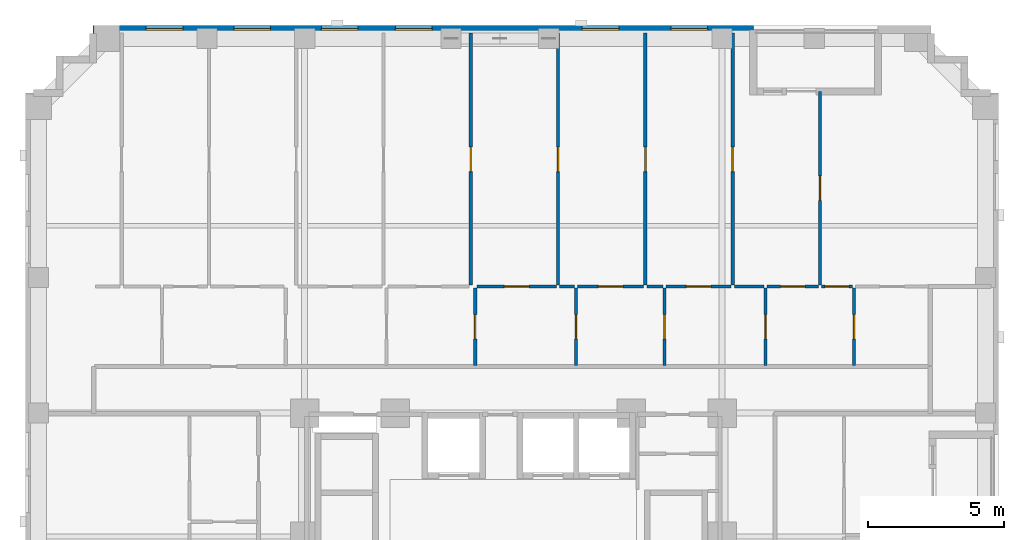
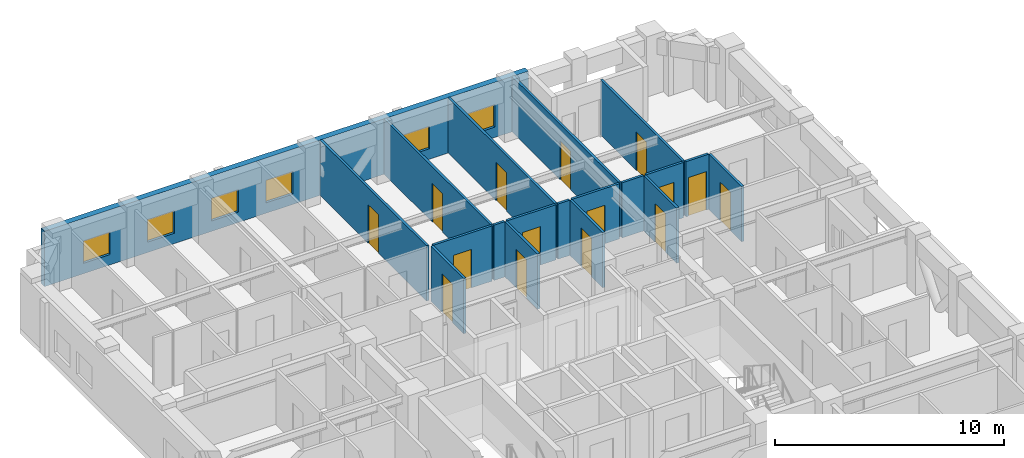
# One storey, part 8 of 13: 19 walls, 15 doors, 6 windows, 21 openings.
"""IFC4 building model written with IfcOpenShell, lengths in metres."""

from ifc_helpers import new_model, si_unit, derived_unit, direction, frame, frame_2d, origin, place, context, subcontext, project, spatial, rectangle, extrude, material, layer, layer_set, type_object, element, fill, save


model = new_model("IFC4")

# Units and contexts
model_context = context("Model", 3, precision=1e-05, world=origin(), true_north=direction((0.0, 1.0)))
body_context = subcontext(model_context, "Body", "Model", "MODEL_VIEW")
ifc_project = project(units=[si_unit("LENGTHUNIT", "METRE"), si_unit("AREAUNIT", "SQUARE_METRE"), si_unit("VOLUMEUNIT", "CUBIC_METRE"), si_unit("PLANEANGLEUNIT", "RADIAN"), si_unit("MASSUNIT", "GRAM", prefix="KILO"), derived_unit("THERMALTRANSMITTANCEUNIT", [(si_unit("MASSUNIT", "GRAM", prefix="KILO"), 1), (si_unit("TIMEUNIT", "SECOND"), -3), (si_unit("THERMODYNAMICTEMPERATUREUNIT", "KELVIN"), -1)])], contexts=[model_context])

# Site, building, storey
site_placement = place(None, origin())
site = spatial("IfcSite", under=ifc_project, at=site_placement, CompositionType="ELEMENT")
building_placement = place(site_placement, origin())
building = spatial("IfcBuilding", under=site, at=building_placement, Name="Korrvale Station Residences", CompositionType="ELEMENT")
storey_placement = place(building_placement, frame((0.0, 0.0, 97.5)))
storey = spatial("IfcBuildingStorey", under=building, at=storey_placement, Name="L27", CompositionType="ELEMENT", Elevation=97.5)

# Wall, openings, windows
ifc_material_1 = material(Name="Precast concrete C45/55", Category="concrete")
ifc_layer_1 = layer(ifc_material_1, 0.300048828125, Name="Precast concrete C45/55")
ifc_layer_set_1 = layer_set([ifc_layer_1], Name="Precast concrete C45/55")
wall_type_1 = type_object("IfcWallType", Name="WAL-EXT-PC300", PredefinedType="SOLIDWALL", material=ifc_layer_set_1)
wall_1_placement = place(storey_placement, frame((10.0, 43.14990234375, 0.0), z_axis=(0.0, 0.0, 1.0), x_axis=(1.0, 0.0, 0.0)))
wall_1 = element("IfcWall", 1, at=wall_1_placement, inside=storey, type_object=wall_type_1, Name="L27 North Exterior Precast Wall 1", PredefinedType="SOLIDWALL", context=body_context, shape_type="SweptSolid", body=[
    extrude(rectangle(XDim=24.35009765625, YDim=0.300048828125, at=frame_2d((12.175048828125, 0.0))), origin(), (0.0, 0.0, 1.0), 2.93994140625),
])
opening_1_placement = place(wall_1_placement, frame((1.9560546875, 0.0, 0.550048828125)))
opening_1 = element("IfcOpeningElement", 2, at=opening_1_placement, cuts=wall_1, Name="Opening W-10", PredefinedType="OPENING", context=body_context, shape_type="SweptSolid", body=[
    extrude(rectangle(XDim=1.35009765625, YDim=1.199951171875, at=frame_2d((0.675048828125, 0.60009765625))), frame((0.0, 0.16015625, 0.0), z_axis=(0.0, -1.0, 0.0), x_axis=(1.0, 0.0, 0.0)), (0.0, 0.0, 1.0), 0.320068359375),
])
opening_2_placement = place(wall_1_placement, frame((5.18701171875, 0.0, 0.550048828125)))
opening_2 = element("IfcOpeningElement", 3, at=opening_2_placement, cuts=wall_1, Name="Opening W-10", PredefinedType="OPENING", context=body_context, shape_type="SweptSolid", body=[
    extrude(rectangle(XDim=1.35009765625, YDim=1.199951171875, at=frame_2d((0.675048828125, 0.60009765625))), frame((0.0, 0.16015625, 0.0), z_axis=(0.0, -1.0, 0.0), x_axis=(1.0, 0.0, 0.0)), (0.0, 0.0, 1.0), 0.320068359375),
])
opening_3_placement = place(wall_1_placement, frame((8.41796875, 0.0, 0.550048828125)))
opening_3 = element("IfcOpeningElement", 4, at=opening_3_placement, cuts=wall_1, Name="Opening W-10", PredefinedType="OPENING", context=body_context, shape_type="SweptSolid", body=[
    extrude(rectangle(XDim=1.35009765625, YDim=1.199951171875, at=frame_2d((0.675048828125, 0.60009765625))), frame((0.0, 0.16015625, 0.0), z_axis=(0.0, -1.0, 0.0), x_axis=(1.0, 0.0, 0.0)), (0.0, 0.0, 1.0), 0.320068359375),
])
opening_4_placement = place(wall_1_placement, frame((11.14990234375, 0.0, 0.550048828125)))
opening_4 = element("IfcOpeningElement", 5, at=opening_4_placement, cuts=wall_1, Name="Opening W-10", PredefinedType="OPENING", context=body_context, shape_type="SweptSolid", body=[
    extrude(rectangle(XDim=1.35009765625, YDim=1.199951171875, at=frame_2d((0.675048828125, 0.60009765625))), frame((0.0, 0.16015625, 0.0), z_axis=(0.0, -1.0, 0.0), x_axis=(1.0, 0.0, 0.0)), (0.0, 0.0, 1.0), 0.320068359375),
])
opening_5_placement = place(wall_1_placement, frame((18.0380859375, 0.0, 0.550048828125)))
opening_5 = element("IfcOpeningElement", 6, at=opening_5_placement, cuts=wall_1, Name="Opening W-10", PredefinedType="OPENING", context=body_context, shape_type="SweptSolid", body=[
    extrude(rectangle(XDim=1.35009765625, YDim=1.199951171875, at=frame_2d((0.675048828125, 0.60009765625))), frame((0.0, 0.16015625, 0.0), z_axis=(0.0, -1.0, 0.0), x_axis=(1.0, 0.0, 0.0)), (0.0, 0.0, 1.0), 0.320068359375),
])
opening_6_placement = place(wall_1_placement, frame((21.31494140625, 0.0, 0.550048828125)))
opening_6 = element("IfcOpeningElement", 7, at=opening_6_placement, cuts=wall_1, Name="Opening W-10", PredefinedType="OPENING", context=body_context, shape_type="SweptSolid", body=[
    extrude(rectangle(XDim=1.35009765625, YDim=1.199951171875, at=frame_2d((0.675048828125, 0.60009765625))), frame((0.0, 0.16015625, 0.0), z_axis=(0.0, -1.0, 0.0), x_axis=(1.0, 0.0, 0.0)), (0.0, 0.0, 1.0), 0.320068359375),
])
ifc_material_2 = material(Name="Thermally broken aluminium frame with triple low-e glazing", Category="aluminium")
window_type = type_object("IfcWindowType", Name="WIN-W10", PartitioningType="SINGLE_PANEL", PredefinedType="WINDOW", material=ifc_material_2)
window_1_placement = place(opening_1_placement, origin())
window_1 = element("IfcWindow", 8, at=window_1_placement, inside=storey, type_object=window_type, Name="L27 Punched Window 14", OverallHeight=1.199951171875, OverallWidth=1.35009765625, PartitioningType="SINGLE_PANEL", PredefinedType="WINDOW", context=body_context, shape_type="SweptSolid", body=[
    extrude(rectangle(XDim=1.35009765625, YDim=1.199951171875, at=frame_2d((0.675048828125, 0.60009765625))), frame((0.0, 0.030029296875, 0.0), z_axis=(0.0, -1.0, 0.0), x_axis=(1.0, 0.0, 0.0)), (0.0, 0.0, 1.0), 0.06005859375),
])
fill(opening_1, window_1)
window_2_placement = place(opening_2_placement, origin())
window_2 = element("IfcWindow", 9, at=window_2_placement, inside=storey, type_object=window_type, Name="L27 Punched Window 15", OverallHeight=1.199951171875, OverallWidth=1.35009765625, PartitioningType="SINGLE_PANEL", PredefinedType="WINDOW", context=body_context, shape_type="SweptSolid", body=[
    extrude(rectangle(XDim=1.35009765625, YDim=1.199951171875, at=frame_2d((0.675048828125, 0.60009765625))), frame((0.0, 0.030029296875, 0.0), z_axis=(0.0, -1.0, 0.0), x_axis=(1.0, 0.0, 0.0)), (0.0, 0.0, 1.0), 0.06005859375),
])
fill(opening_2, window_2)
window_3_placement = place(opening_3_placement, origin())
window_3 = element("IfcWindow", 10, at=window_3_placement, inside=storey, type_object=window_type, Name="L27 Punched Window 16", OverallHeight=1.199951171875, OverallWidth=1.35009765625, PartitioningType="SINGLE_PANEL", PredefinedType="WINDOW", context=body_context, shape_type="SweptSolid", body=[
    extrude(rectangle(XDim=1.35009765625, YDim=1.199951171875, at=frame_2d((0.675048828125, 0.60009765625))), frame((0.0, 0.030029296875, 0.0), z_axis=(0.0, -1.0, 0.0), x_axis=(1.0, 0.0, 0.0)), (0.0, 0.0, 1.0), 0.06005859375),
])
fill(opening_3, window_3)
window_4_placement = place(opening_4_placement, origin())
window_4 = element("IfcWindow", 11, at=window_4_placement, inside=storey, type_object=window_type, Name="L27 Punched Window 17", OverallHeight=1.199951171875, OverallWidth=1.35009765625, PartitioningType="SINGLE_PANEL", PredefinedType="WINDOW", context=body_context, shape_type="SweptSolid", body=[
    extrude(rectangle(XDim=1.35009765625, YDim=1.199951171875, at=frame_2d((0.675048828125, 0.60009765625))), frame((0.0, 0.030029296875, 0.0), z_axis=(0.0, -1.0, 0.0), x_axis=(1.0, 0.0, 0.0)), (0.0, 0.0, 1.0), 0.06005859375),
])
fill(opening_4, window_4)
window_5_placement = place(opening_5_placement, origin())
window_5 = element("IfcWindow", 12, at=window_5_placement, inside=storey, type_object=window_type, Name="L27 Punched Window 18", OverallHeight=1.199951171875, OverallWidth=1.35009765625, PartitioningType="SINGLE_PANEL", PredefinedType="WINDOW", context=body_context, shape_type="SweptSolid", body=[
    extrude(rectangle(XDim=1.35009765625, YDim=1.199951171875, at=frame_2d((0.675048828125, 0.60009765625))), frame((0.0, 0.030029296875, 0.0), z_axis=(0.0, -1.0, 0.0), x_axis=(1.0, 0.0, 0.0)), (0.0, 0.0, 1.0), 0.06005859375),
])
fill(opening_5, window_5)
window_6_placement = place(opening_6_placement, origin())
window_6 = element("IfcWindow", 13, at=window_6_placement, inside=storey, type_object=window_type, Name="L27 Punched Window 19", OverallHeight=1.199951171875, OverallWidth=1.35009765625, PartitioningType="SINGLE_PANEL", PredefinedType="WINDOW", context=body_context, shape_type="SweptSolid", body=[
    extrude(rectangle(XDim=1.35009765625, YDim=1.199951171875, at=frame_2d((0.675048828125, 0.60009765625))), frame((0.0, 0.030029296875, 0.0), z_axis=(0.0, -1.0, 0.0), x_axis=(1.0, 0.0, 0.0)), (0.0, 0.0, 1.0), 0.06005859375),
])
fill(opening_6, window_6)

# Wall, opening, door
ifc_material_3 = material(Name="Acoustic steel-stud gypsum board partition", Category="steel")
ifc_layer_2 = layer(ifc_material_3, 0.1201171875, Name="Acoustic steel-stud gypsum board partition")
ifc_layer_set_2 = layer_set([ifc_layer_2], Name="Acoustic steel-stud gypsum board partition")
wall_type_2 = type_object("IfcWallType", Name="WAL-PART-125", PredefinedType="PARTITIONING", material=ifc_layer_set_2)
wall_2_placement = place(storey_placement, frame((24.090087890625, 30.760009765625, 0.0), z_axis=(0.0, 0.0, 1.0), x_axis=(0.0, 1.0, 0.0)))
wall_2 = element("IfcWall", 14, at=wall_2_placement, inside=storey, type_object=wall_type_2, Name="L27 Suite Partition U02-V34", PredefinedType="PARTITIONING", context=body_context, shape_type="SweptSolid", body=[
    extrude(rectangle(XDim=2.85009765625, YDim=0.1201171875, at=frame_2d((1.425048828125, 0.0))), origin(), (0.0, 0.0, 1.0), 2.93994140625),
])
opening_7_placement = place(wall_2_placement, frame((0.97509765625, 0.0, 0.0)))
opening_7 = element("IfcOpeningElement", 15, at=opening_7_placement, cuts=wall_2, Name="Opening DI-900", PredefinedType="OPENING", context=body_context, shape_type="SweptSolid", body=[
    extrude(rectangle(XDim=0.89990234375, YDim=2.050048828125, at=frame_2d((0.449951171875, 1.02490234375))), frame((0.0, 0.070068359375, 0.0), z_axis=(0.0, -1.0, 0.0), x_axis=(1.0, 0.0, 0.0)), (0.0, 0.0, 1.0), 0.14013671875),
])
ifc_material_4 = material(Name="Painted solid-core timber interior room door", Category="wood")
door_type = type_object("IfcDoorType", Name="DR-INT-900", OperationType="NOTDEFINED", PredefinedType="DOOR", material=ifc_material_4)
door_1_placement = place(opening_7_placement, origin())
door_1 = element("IfcDoor", 16, at=door_1_placement, inside=storey, type_object=door_type, Name="L27 Studio Apartment L27-U02 Storage Closet 2 Door", OperationType="SINGLE_SWING_RIGHT", OverallHeight=2.050048828125, OverallWidth=0.89990234375, PredefinedType="DOOR", context=body_context, shape_type="SweptSolid", body=[
    extrude(rectangle(XDim=0.89990234375, YDim=2.050048828125, at=frame_2d((0.449951171875, 1.02490234375))), frame((0.0, 0.02490234375, 0.0), z_axis=(0.0, -1.0, 0.0), x_axis=(1.0, 0.0, 0.0)), (0.0, 0.0, 1.0), 0.050048828125),
])
fill(opening_7, door_1)

wall_3_placement = place(storey_placement, frame((27.81005859375, 30.760009765625, 0.0), z_axis=(0.0, 0.0, 1.0), x_axis=(0.0, 1.0, 0.0)))
wall_3 = element("IfcWall", 17, at=wall_3_placement, inside=storey, type_object=wall_type_2, Name="L27 Suite Partition U02-V45", PredefinedType="PARTITIONING", context=body_context, shape_type="SweptSolid", body=[
    extrude(rectangle(XDim=2.85009765625, YDim=0.1201171875, at=frame_2d((1.425048828125, 0.0))), origin(), (0.0, 0.0, 1.0), 2.93994140625),
])
opening_8_placement = place(wall_3_placement, frame((0.97509765625, 0.0, 0.0)))
opening_8 = element("IfcOpeningElement", 18, at=opening_8_placement, cuts=wall_3, Name="Opening DI-900", PredefinedType="OPENING", context=body_context, shape_type="SweptSolid", body=[
    extrude(rectangle(XDim=0.89990234375, YDim=2.050048828125, at=frame_2d((0.449951171875, 1.02490234375))), frame((0.0, 0.070068359375, 0.0), z_axis=(0.0, -1.0, 0.0), x_axis=(1.0, 0.0, 0.0)), (0.0, 0.0, 1.0), 0.14013671875),
])
door_2_placement = place(opening_8_placement, origin())
door_2 = element("IfcDoor", 19, at=door_2_placement, inside=storey, type_object=door_type, Name="L27 Studio Apartment L27-U02 Storage Closet 3 Door", OperationType="SINGLE_SWING_RIGHT", OverallHeight=2.050048828125, OverallWidth=0.89990234375, PredefinedType="DOOR", context=body_context, shape_type="SweptSolid", body=[
    extrude(rectangle(XDim=0.89990234375, YDim=2.050048828125, at=frame_2d((0.449951171875, 1.02490234375))), frame((0.0, 0.02490234375, 0.0), z_axis=(0.0, -1.0, 0.0), x_axis=(1.0, 0.0, 0.0)), (0.0, 0.0, 1.0), 0.050048828125),
])
fill(opening_8, door_2)

wall_4_placement = place(storey_placement, frame((24.14990234375, 33.669921875, 0.0), z_axis=(0.0, 0.0, 1.0), x_axis=(1.0, 0.0, 0.0)))
wall_4 = element("IfcWall", 20, at=wall_4_placement, inside=storey, type_object=wall_type_2, Name="L27 Suite Partition U02-H414", PredefinedType="PARTITIONING", context=body_context, shape_type="SweptSolid", body=[
    extrude(rectangle(XDim=2.940185546875, YDim=0.1201171875, at=frame_2d((1.47021484375, 0.0))), origin(), (0.0, 0.0, 1.0), 2.93994140625),
])
opening_9_placement = place(wall_4_placement, frame((1.02001953125, 0.0, 0.0)))
opening_9 = element("IfcOpeningElement", 21, at=opening_9_placement, cuts=wall_4, Name="Opening DI-900", PredefinedType="OPENING", context=body_context, shape_type="SweptSolid", body=[
    extrude(rectangle(XDim=0.89990234375, YDim=2.050048828125, at=frame_2d((0.449951171875, 1.02490234375))), frame((0.0, 0.070068359375, 0.0), z_axis=(0.0, -1.0, 0.0), x_axis=(1.0, 0.0, 0.0)), (0.0, 0.0, 1.0), 0.14013671875),
])
door_3_placement = place(opening_9_placement, origin())
door_3 = element("IfcDoor", 22, at=door_3_placement, inside=storey, type_object=door_type, Name="L27 Studio Apartment L27-U02 Storage Closet 3 Door", OperationType="SINGLE_SWING_LEFT", OverallHeight=2.050048828125, OverallWidth=0.89990234375, PredefinedType="DOOR", context=body_context, shape_type="SweptSolid", body=[
    extrude(rectangle(XDim=0.89990234375, YDim=2.050048828125, at=frame_2d((0.449951171875, 1.02490234375))), frame((0.0, 0.02490234375, 0.0), z_axis=(0.0, -1.0, 0.0), x_axis=(1.0, 0.0, 0.0)), (0.0, 0.0, 1.0), 0.050048828125),
])
fill(opening_9, door_3)

# Wall
wall_5_placement = place(storey_placement, frame((27.2099609375, 33.669921875, 0.0), z_axis=(0.0, 0.0, 1.0), x_axis=(1.0, 0.0, 0.0)))
element("IfcWall", 23, at=wall_5_placement, inside=storey, type_object=wall_type_2, Name="L27 Suite Partition U02-H415", PredefinedType="PARTITIONING", context=body_context, shape_type="SweptSolid", body=[
    extrude(rectangle(XDim=0.5400390625, YDim=0.1201171875, at=frame_2d((0.27001953125, 0.0))), origin(), (0.0, 0.0, 1.0), 2.93994140625),
])

# Wall, opening, door
wall_6_placement = place(storey_placement, frame((31.080078125, 30.760009765625, 0.0), z_axis=(0.0, 0.0, 1.0), x_axis=(0.0, 1.0, 0.0)))
wall_6 = element("IfcWall", 24, at=wall_6_placement, inside=storey, type_object=wall_type_2, Name="L27 Suite Partition U02-V56", PredefinedType="PARTITIONING", context=body_context, shape_type="SweptSolid", body=[
    extrude(rectangle(XDim=2.85009765625, YDim=0.1201171875, at=frame_2d((1.425048828125, 0.0))), origin(), (0.0, 0.0, 1.0), 2.93994140625),
])
opening_10_placement = place(wall_6_placement, frame((0.97509765625, 0.0, 0.0)))
opening_10 = element("IfcOpeningElement", 25, at=opening_10_placement, cuts=wall_6, Name="Opening DI-900", PredefinedType="OPENING", context=body_context, shape_type="SweptSolid", body=[
    extrude(rectangle(XDim=0.89990234375, YDim=2.050048828125, at=frame_2d((0.449951171875, 1.02490234375))), frame((0.0, 0.070068359375, 0.0), z_axis=(0.0, -1.0, 0.0), x_axis=(1.0, 0.0, 0.0)), (0.0, 0.0, 1.0), 0.14013671875),
])
door_4_placement = place(opening_10_placement, origin())
door_4 = element("IfcDoor", 26, at=door_4_placement, inside=storey, type_object=door_type, Name="L27 Studio Apartment L27-U02 Storage Closet 4 Door", OperationType="SINGLE_SWING_RIGHT", OverallHeight=2.050048828125, OverallWidth=0.89990234375, PredefinedType="DOOR", context=body_context, shape_type="SweptSolid", body=[
    extrude(rectangle(XDim=0.89990234375, YDim=2.050048828125, at=frame_2d((0.449951171875, 1.02490234375))), frame((0.0, 0.02490234375, 0.0), z_axis=(0.0, -1.0, 0.0), x_axis=(1.0, 0.0, 0.0)), (0.0, 0.0, 1.0), 0.050048828125),
])
fill(opening_10, door_4)

wall_7_placement = place(storey_placement, frame((27.8701171875, 33.669921875, 0.0), z_axis=(0.0, 0.0, 1.0), x_axis=(1.0, 0.0, 0.0)))
wall_7 = element("IfcWall", 27, at=wall_7_placement, inside=storey, type_object=wall_type_2, Name="L27 Suite Partition U02-H515", PredefinedType="PARTITIONING", context=body_context, shape_type="SweptSolid", body=[
    extrude(rectangle(XDim=2.43994140625, YDim=0.1201171875, at=frame_2d((1.219970703125, 0.0))), origin(), (0.0, 0.0, 1.0), 2.93994140625),
])
opening_11_placement = place(wall_7_placement, frame((0.77001953125, 0.0, 0.0)))
opening_11 = element("IfcOpeningElement", 28, at=opening_11_placement, cuts=wall_7, Name="Opening DI-900", PredefinedType="OPENING", context=body_context, shape_type="SweptSolid", body=[
    extrude(rectangle(XDim=0.89990234375, YDim=2.050048828125, at=frame_2d((0.449951171875, 1.02490234375))), frame((0.0, 0.070068359375, 0.0), z_axis=(0.0, -1.0, 0.0), x_axis=(1.0, 0.0, 0.0)), (0.0, 0.0, 1.0), 0.14013671875),
])
door_5_placement = place(opening_11_placement, origin())
door_5 = element("IfcDoor", 29, at=door_5_placement, inside=storey, type_object=door_type, Name="L27 Studio Apartment L27-U02 Storage Closet 4 Door", OperationType="SINGLE_SWING_LEFT", OverallHeight=2.050048828125, OverallWidth=0.89990234375, PredefinedType="DOOR", context=body_context, shape_type="SweptSolid", body=[
    extrude(rectangle(XDim=0.89990234375, YDim=2.050048828125, at=frame_2d((0.449951171875, 1.02490234375))), frame((0.0, 0.02490234375, 0.0), z_axis=(0.0, -1.0, 0.0), x_axis=(1.0, 0.0, 0.0)), (0.0, 0.0, 1.0), 0.050048828125),
])
fill(opening_11, door_5)

# Wall
wall_8_placement = place(storey_placement, frame((30.429931640625, 33.669921875, 0.0), z_axis=(0.0, 0.0, 1.0), x_axis=(1.0, 0.0, 0.0)))
element("IfcWall", 30, at=wall_8_placement, inside=storey, type_object=wall_type_2, Name="L27 Suite Partition U02-H516", PredefinedType="PARTITIONING", context=body_context, shape_type="SweptSolid", body=[
    extrude(rectangle(XDim=0.590087890625, YDim=0.1201171875, at=frame_2d((0.294921875, 0.0))), origin(), (0.0, 0.0, 1.0), 2.93994140625),
])

# Wall, opening, door
wall_9_placement = place(storey_placement, frame((34.800048828125, 30.760009765625, 0.0), z_axis=(0.0, 0.0, 1.0), x_axis=(0.0, 1.0, 0.0)))
wall_9 = element("IfcWall", 31, at=wall_9_placement, inside=storey, type_object=wall_type_2, Name="L27 Suite Partition U02-V67", PredefinedType="PARTITIONING", context=body_context, shape_type="SweptSolid", body=[
    extrude(rectangle(XDim=2.85009765625, YDim=0.1201171875, at=frame_2d((1.425048828125, 0.0))), origin(), (0.0, 0.0, 1.0), 2.93994140625),
])
opening_12_placement = place(wall_9_placement, frame((0.97509765625, 0.0, 0.0)))
opening_12 = element("IfcOpeningElement", 32, at=opening_12_placement, cuts=wall_9, Name="Opening DI-900", PredefinedType="OPENING", context=body_context, shape_type="SweptSolid", body=[
    extrude(rectangle(XDim=0.89990234375, YDim=2.050048828125, at=frame_2d((0.449951171875, 1.02490234375))), frame((0.0, 0.070068359375, 0.0), z_axis=(0.0, -1.0, 0.0), x_axis=(1.0, 0.0, 0.0)), (0.0, 0.0, 1.0), 0.14013671875),
])
door_6_placement = place(opening_12_placement, origin())
door_6 = element("IfcDoor", 33, at=door_6_placement, inside=storey, type_object=door_type, Name="L27 Studio Apartment L27-U02 Storage Closet 5 Door", OperationType="SINGLE_SWING_RIGHT", OverallHeight=2.050048828125, OverallWidth=0.89990234375, PredefinedType="DOOR", context=body_context, shape_type="SweptSolid", body=[
    extrude(rectangle(XDim=0.89990234375, YDim=2.050048828125, at=frame_2d((0.449951171875, 1.02490234375))), frame((0.0, 0.02490234375, 0.0), z_axis=(0.0, -1.0, 0.0), x_axis=(1.0, 0.0, 0.0)), (0.0, 0.0, 1.0), 0.050048828125),
])
fill(opening_12, door_6)

wall_10_placement = place(storey_placement, frame((31.139892578125, 33.669921875, 0.0), z_axis=(0.0, 0.0, 1.0), x_axis=(1.0, 0.0, 0.0)))
wall_10 = element("IfcWall", 34, at=wall_10_placement, inside=storey, type_object=wall_type_2, Name="L27 Suite Partition U02-H616", PredefinedType="PARTITIONING", context=body_context, shape_type="SweptSolid", body=[
    extrude(rectangle(XDim=2.39013671875, YDim=0.1201171875, at=frame_2d((1.195068359375, 0.0))), origin(), (0.0, 0.0, 1.0), 2.93994140625),
])
opening_13_placement = place(wall_10_placement, frame((0.7451171875, 0.0, 0.0)))
opening_13 = element("IfcOpeningElement", 35, at=opening_13_placement, cuts=wall_10, Name="Opening DI-900", PredefinedType="OPENING", context=body_context, shape_type="SweptSolid", body=[
    extrude(rectangle(XDim=0.89990234375, YDim=2.050048828125, at=frame_2d((0.449951171875, 1.02490234375))), frame((0.0, 0.070068359375, 0.0), z_axis=(0.0, -1.0, 0.0), x_axis=(1.0, 0.0, 0.0)), (0.0, 0.0, 1.0), 0.14013671875),
])
door_7_placement = place(opening_13_placement, origin())
door_7 = element("IfcDoor", 36, at=door_7_placement, inside=storey, type_object=door_type, Name="L27 Studio Apartment L27-U02 Storage Closet 5 Door", OperationType="SINGLE_SWING_LEFT", OverallHeight=2.050048828125, OverallWidth=0.89990234375, PredefinedType="DOOR", context=body_context, shape_type="SweptSolid", body=[
    extrude(rectangle(XDim=0.89990234375, YDim=2.050048828125, at=frame_2d((0.449951171875, 1.02490234375))), frame((0.0, 0.02490234375, 0.0), z_axis=(0.0, -1.0, 0.0), x_axis=(1.0, 0.0, 0.0)), (0.0, 0.0, 1.0), 0.050048828125),
])
fill(opening_13, door_7)

# Wall
wall_11_placement = place(storey_placement, frame((33.64990234375, 33.669921875, 0.0), z_axis=(0.0, 0.0, 1.0), x_axis=(1.0, 0.0, 0.0)))
element("IfcWall", 37, at=wall_11_placement, inside=storey, type_object=wall_type_2, Name="L27 Suite Partition U02-H617", PredefinedType="PARTITIONING", context=body_context, shape_type="SweptSolid", body=[
    extrude(rectangle(XDim=1.090087890625, YDim=0.1201171875, at=frame_2d((0.544921875, 0.0))), origin(), (0.0, 0.0, 1.0), 2.93994140625),
])

# Wall, opening, door
wall_12_placement = place(storey_placement, frame((38.070068359375, 30.760009765625, 0.0), z_axis=(0.0, 0.0, 1.0), x_axis=(0.0, 1.0, 0.0)))
wall_12 = element("IfcWall", 38, at=wall_12_placement, inside=storey, type_object=wall_type_2, Name="L27 Suite Partition U02-V78", PredefinedType="PARTITIONING", context=body_context, shape_type="SweptSolid", body=[
    extrude(rectangle(XDim=2.85009765625, YDim=0.1201171875, at=frame_2d((1.425048828125, 0.0))), origin(), (0.0, 0.0, 1.0), 2.93994140625),
])
opening_14_placement = place(wall_12_placement, frame((0.97509765625, 0.0, 0.0)))
opening_14 = element("IfcOpeningElement", 39, at=opening_14_placement, cuts=wall_12, Name="Opening DI-900", PredefinedType="OPENING", context=body_context, shape_type="SweptSolid", body=[
    extrude(rectangle(XDim=0.89990234375, YDim=2.050048828125, at=frame_2d((0.449951171875, 1.02490234375))), frame((0.0, 0.070068359375, 0.0), z_axis=(0.0, -1.0, 0.0), x_axis=(1.0, 0.0, 0.0)), (0.0, 0.0, 1.0), 0.14013671875),
])
door_8_placement = place(opening_14_placement, origin())
door_8 = element("IfcDoor", 40, at=door_8_placement, inside=storey, type_object=door_type, Name="L27 Studio Apartment L27-U02 Storage Closet 6 Door", OperationType="SINGLE_SWING_RIGHT", OverallHeight=2.050048828125, OverallWidth=0.89990234375, PredefinedType="DOOR", context=body_context, shape_type="SweptSolid", body=[
    extrude(rectangle(XDim=0.89990234375, YDim=2.050048828125, at=frame_2d((0.449951171875, 1.02490234375))), frame((0.0, 0.02490234375, 0.0), z_axis=(0.0, -1.0, 0.0), x_axis=(1.0, 0.0, 0.0)), (0.0, 0.0, 1.0), 0.050048828125),
])
fill(opening_14, door_8)

wall_13_placement = place(storey_placement, frame((34.860107421875, 33.669921875, 0.0), z_axis=(0.0, 0.0, 1.0), x_axis=(1.0, 0.0, 0.0)))
wall_13 = element("IfcWall", 41, at=wall_13_placement, inside=storey, type_object=wall_type_2, Name="L27 Suite Partition U02-H717", PredefinedType="PARTITIONING", context=body_context, shape_type="SweptSolid", body=[
    extrude(rectangle(XDim=1.889892578125, YDim=0.1201171875, at=frame_2d((0.94482421875, 0.0))), origin(), (0.0, 0.0, 1.0), 2.93994140625),
])
opening_15_placement = place(wall_13_placement, frame((0.4951171875, 0.0, 0.0)))
opening_15 = element("IfcOpeningElement", 42, at=opening_15_placement, cuts=wall_13, Name="Opening DI-900", PredefinedType="OPENING", context=body_context, shape_type="SweptSolid", body=[
    extrude(rectangle(XDim=0.89990234375, YDim=2.050048828125, at=frame_2d((0.449951171875, 1.02490234375))), frame((0.0, 0.070068359375, 0.0), z_axis=(0.0, -1.0, 0.0), x_axis=(1.0, 0.0, 0.0)), (0.0, 0.0, 1.0), 0.14013671875),
])
door_9_placement = place(opening_15_placement, origin())
door_9 = element("IfcDoor", 43, at=door_9_placement, inside=storey, type_object=door_type, Name="L27 Studio Apartment L27-U02 Storage Closet 6 Door", OperationType="SINGLE_SWING_LEFT", OverallHeight=2.050048828125, OverallWidth=0.89990234375, PredefinedType="DOOR", context=body_context, shape_type="SweptSolid", body=[
    extrude(rectangle(XDim=0.89990234375, YDim=2.050048828125, at=frame_2d((0.449951171875, 1.02490234375))), frame((0.0, 0.02490234375, 0.0), z_axis=(0.0, -1.0, 0.0), x_axis=(1.0, 0.0, 0.0)), (0.0, 0.0, 1.0), 0.050048828125),
])
fill(opening_15, door_9)

wall_14_placement = place(storey_placement, frame((36.8701171875, 33.669921875, 0.0), z_axis=(0.0, 0.0, 1.0), x_axis=(1.0, 0.0, 0.0)))
wall_14 = element("IfcWall", 44, at=wall_14_placement, inside=storey, type_object=wall_type_2, Name="L27 Suite Partition U02-H718", PredefinedType="PARTITIONING", context=body_context, shape_type="SweptSolid", body=[
    extrude(rectangle(XDim=1.139892578125, YDim=0.1201171875, at=frame_2d((0.56982421875, 0.0))), origin(), (0.0, 0.0, 1.0), 2.93994140625),
])
opening_16_placement = place(wall_14_placement, frame((0.1201171875, 0.0, 0.0)))
opening_16 = element("IfcOpeningElement", 45, at=opening_16_placement, cuts=wall_14, Name="Opening DI-900", PredefinedType="OPENING", context=body_context, shape_type="SweptSolid", body=[
    extrude(rectangle(XDim=0.89990234375, YDim=2.050048828125, at=frame_2d((0.449951171875, 1.02490234375))), frame((0.0, 0.070068359375, 0.0), z_axis=(0.0, -1.0, 0.0), x_axis=(1.0, 0.0, 0.0)), (0.0, 0.0, 1.0), 0.14013671875),
])
door_10_placement = place(opening_16_placement, origin())
door_10 = element("IfcDoor", 46, at=door_10_placement, inside=storey, type_object=door_type, Name="L27 Studio Apartment L27-U02 Storage Closet 6 Door", OperationType="SINGLE_SWING_RIGHT", OverallHeight=2.050048828125, OverallWidth=0.89990234375, PredefinedType="DOOR", context=body_context, shape_type="SweptSolid", body=[
    extrude(rectangle(XDim=0.89990234375, YDim=2.050048828125, at=frame_2d((0.449951171875, 1.02490234375))), frame((0.0, 0.02490234375, 0.0), z_axis=(0.0, -1.0, 0.0), x_axis=(1.0, 0.0, 0.0)), (0.0, 0.0, 1.0), 0.050048828125),
])
fill(opening_16, door_10)

wall_15_placement = place(storey_placement, frame((23.929931640625, 33.72998046875, 0.0), z_axis=(0.0, 0.0, 1.0), x_axis=(0.0, 1.0, 0.0)))
wall_15 = element("IfcWall", 47, at=wall_15_placement, inside=storey, type_object=wall_type_2, Name="L27 Suite Partition U02-V1314", PredefinedType="PARTITIONING", context=body_context, shape_type="SweptSolid", body=[
    extrude(rectangle(XDim=9.2900390625, YDim=0.1201171875, at=frame_2d((4.64501953125, 0.0))), origin(), (0.0, 0.0, 1.0), 2.93994140625),
])
opening_17_placement = place(wall_15_placement, frame((4.179931640625, 0.0, 0.0)))
opening_17 = element("IfcOpeningElement", 48, at=opening_17_placement, cuts=wall_15, Name="Opening DI-900", PredefinedType="OPENING", context=body_context, shape_type="SweptSolid", body=[
    extrude(rectangle(XDim=0.89990234375, YDim=2.050048828125, at=frame_2d((0.449951171875, 1.02490234375))), frame((0.0, 0.070068359375, 0.0), z_axis=(0.0, -1.0, 0.0), x_axis=(1.0, 0.0, 0.0)), (0.0, 0.0, 1.0), 0.14013671875),
])
door_11_placement = place(opening_17_placement, origin())
door_11 = element("IfcDoor", 49, at=door_11_placement, inside=storey, type_object=door_type, Name="L27 Studio Apartment L27-U02 Formal Dining Room Door", OperationType="SINGLE_SWING_RIGHT", OverallHeight=2.050048828125, OverallWidth=0.89990234375, PredefinedType="DOOR", context=body_context, shape_type="SweptSolid", body=[
    extrude(rectangle(XDim=0.89990234375, YDim=2.050048828125, at=frame_2d((0.449951171875, 1.02490234375))), frame((0.0, 0.02490234375, 0.0), z_axis=(0.0, -1.0, 0.0), x_axis=(1.0, 0.0, 0.0)), (0.0, 0.0, 1.0), 0.050048828125),
])
fill(opening_17, door_11)

wall_16_placement = place(storey_placement, frame((27.14990234375, 33.72998046875, 0.0), z_axis=(0.0, 0.0, 1.0), x_axis=(0.0, 1.0, 0.0)))
wall_16 = element("IfcWall", 50, at=wall_16_placement, inside=storey, type_object=wall_type_2, Name="L27 Suite Partition U02-V1415", PredefinedType="PARTITIONING", context=body_context, shape_type="SweptSolid", body=[
    extrude(rectangle(XDim=9.2900390625, YDim=0.1201171875, at=frame_2d((4.64501953125, 0.0))), origin(), (0.0, 0.0, 1.0), 2.93994140625),
])
opening_18_placement = place(wall_16_placement, frame((4.179931640625, 0.0, 0.0)))
opening_18 = element("IfcOpeningElement", 51, at=opening_18_placement, cuts=wall_16, Name="Opening DI-900", PredefinedType="OPENING", context=body_context, shape_type="SweptSolid", body=[
    extrude(rectangle(XDim=0.89990234375, YDim=2.050048828125, at=frame_2d((0.449951171875, 1.02490234375))), frame((0.0, 0.070068359375, 0.0), z_axis=(0.0, -1.0, 0.0), x_axis=(1.0, 0.0, 0.0)), (0.0, 0.0, 1.0), 0.14013671875),
])
door_12_placement = place(opening_18_placement, origin())
door_12 = element("IfcDoor", 52, at=door_12_placement, inside=storey, type_object=door_type, Name="L27 Studio Apartment L27-U02 Walk-In Wardrobe Door", OperationType="SINGLE_SWING_LEFT", OverallHeight=2.050048828125, OverallWidth=0.89990234375, PredefinedType="DOOR", context=body_context, shape_type="SweptSolid", body=[
    extrude(rectangle(XDim=0.89990234375, YDim=2.050048828125, at=frame_2d((0.449951171875, 1.02490234375))), frame((0.0, 0.02490234375, 0.0), z_axis=(0.0, -1.0, 0.0), x_axis=(1.0, 0.0, 0.0)), (0.0, 0.0, 1.0), 0.050048828125),
])
fill(opening_18, door_12)

wall_17_placement = place(storey_placement, frame((30.3701171875, 33.72998046875, 0.0), z_axis=(0.0, 0.0, 1.0), x_axis=(0.0, 1.0, 0.0)))
wall_17 = element("IfcWall", 53, at=wall_17_placement, inside=storey, type_object=wall_type_2, Name="L27 Suite Partition U02-V1516", PredefinedType="PARTITIONING", context=body_context, shape_type="SweptSolid", body=[
    extrude(rectangle(XDim=9.2900390625, YDim=0.1201171875, at=frame_2d((4.64501953125, 0.0))), origin(), (0.0, 0.0, 1.0), 2.93994140625),
])
opening_19_placement = place(wall_17_placement, frame((4.179931640625, 0.0, 0.0)))
opening_19 = element("IfcOpeningElement", 54, at=opening_19_placement, cuts=wall_17, Name="Opening DI-900", PredefinedType="OPENING", context=body_context, shape_type="SweptSolid", body=[
    extrude(rectangle(XDim=0.89990234375, YDim=2.050048828125, at=frame_2d((0.449951171875, 1.02490234375))), frame((0.0, 0.070068359375, 0.0), z_axis=(0.0, -1.0, 0.0), x_axis=(1.0, 0.0, 0.0)), (0.0, 0.0, 1.0), 0.14013671875),
])
door_13_placement = place(opening_19_placement, origin())
door_13 = element("IfcDoor", 55, at=door_13_placement, inside=storey, type_object=door_type, Name="L27 Studio Apartment L27-U02 Formal Dining Room Door", OperationType="SINGLE_SWING_RIGHT", OverallHeight=2.050048828125, OverallWidth=0.89990234375, PredefinedType="DOOR", context=body_context, shape_type="SweptSolid", body=[
    extrude(rectangle(XDim=0.89990234375, YDim=2.050048828125, at=frame_2d((0.449951171875, 1.02490234375))), frame((0.0, 0.02490234375, 0.0), z_axis=(0.0, -1.0, 0.0), x_axis=(1.0, 0.0, 0.0)), (0.0, 0.0, 1.0), 0.050048828125),
])
fill(opening_19, door_13)

wall_18_placement = place(storey_placement, frame((33.590087890625, 33.72998046875, 0.0), z_axis=(0.0, 0.0, 1.0), x_axis=(0.0, 1.0, 0.0)))
wall_18 = element("IfcWall", 56, at=wall_18_placement, inside=storey, type_object=wall_type_2, Name="L27 Suite Partition U02-V1617", PredefinedType="PARTITIONING", context=body_context, shape_type="SweptSolid", body=[
    extrude(rectangle(XDim=9.2900390625, YDim=0.1201171875, at=frame_2d((4.64501953125, 0.0))), origin(), (0.0, 0.0, 1.0), 2.93994140625),
])
opening_20_placement = place(wall_18_placement, frame((4.179931640625, 0.0, 0.0)))
opening_20 = element("IfcOpeningElement", 57, at=opening_20_placement, cuts=wall_18, Name="Opening DI-900", PredefinedType="OPENING", context=body_context, shape_type="SweptSolid", body=[
    extrude(rectangle(XDim=0.89990234375, YDim=2.050048828125, at=frame_2d((0.449951171875, 1.02490234375))), frame((0.0, 0.070068359375, 0.0), z_axis=(0.0, -1.0, 0.0), x_axis=(1.0, 0.0, 0.0)), (0.0, 0.0, 1.0), 0.14013671875),
])
door_14_placement = place(opening_20_placement, origin())
door_14 = element("IfcDoor", 58, at=door_14_placement, inside=storey, type_object=door_type, Name="L27 Studio Apartment L27-U02 Formal Dining Room Door", OperationType="SINGLE_SWING_LEFT", OverallHeight=2.050048828125, OverallWidth=0.89990234375, PredefinedType="DOOR", context=body_context, shape_type="SweptSolid", body=[
    extrude(rectangle(XDim=0.89990234375, YDim=2.050048828125, at=frame_2d((0.449951171875, 1.02490234375))), frame((0.0, 0.02490234375, 0.0), z_axis=(0.0, -1.0, 0.0), x_axis=(1.0, 0.0, 0.0)), (0.0, 0.0, 1.0), 0.050048828125),
])
fill(opening_20, door_14)

wall_19_placement = place(storey_placement, frame((36.81005859375, 33.72998046875, 0.0), z_axis=(0.0, 0.0, 1.0), x_axis=(0.0, 1.0, 0.0)))
wall_19 = element("IfcWall", 59, at=wall_19_placement, inside=storey, type_object=wall_type_2, Name="L27 Suite Partition U02-V1718", PredefinedType="PARTITIONING", context=body_context, shape_type="SweptSolid", body=[
    extrude(rectangle(XDim=7.14013671875, YDim=0.1201171875, at=frame_2d((3.570068359375, 0.0))), origin(), (0.0, 0.0, 1.0), 2.93994140625),
])
opening_21_placement = place(wall_19_placement, frame((3.1201171875, 0.0, 0.0)))
opening_21 = element("IfcOpeningElement", 60, at=opening_21_placement, cuts=wall_19, Name="Opening DI-900", PredefinedType="OPENING", context=body_context, shape_type="SweptSolid", body=[
    extrude(rectangle(XDim=0.89990234375, YDim=2.050048828125, at=frame_2d((0.449951171875, 1.02490234375))), frame((0.0, 0.070068359375, 0.0), z_axis=(0.0, -1.0, 0.0), x_axis=(1.0, 0.0, 0.0)), (0.0, 0.0, 1.0), 0.14013671875),
])
door_15_placement = place(opening_21_placement, origin())
door_15 = element("IfcDoor", 61, at=door_15_placement, inside=storey, type_object=door_type, Name="L27 Studio Apartment L27-U02 Formal Dining Room Door", OperationType="SINGLE_SWING_RIGHT", OverallHeight=2.050048828125, OverallWidth=0.89990234375, PredefinedType="DOOR", context=body_context, shape_type="SweptSolid", body=[
    extrude(rectangle(XDim=0.89990234375, YDim=2.050048828125, at=frame_2d((0.449951171875, 1.02490234375))), frame((0.0, 0.02490234375, 0.0), z_axis=(0.0, -1.0, 0.0), x_axis=(1.0, 0.0, 0.0)), (0.0, 0.0, 1.0), 0.050048828125),
])
fill(opening_21, door_15)

save(model, "model.ifc")
